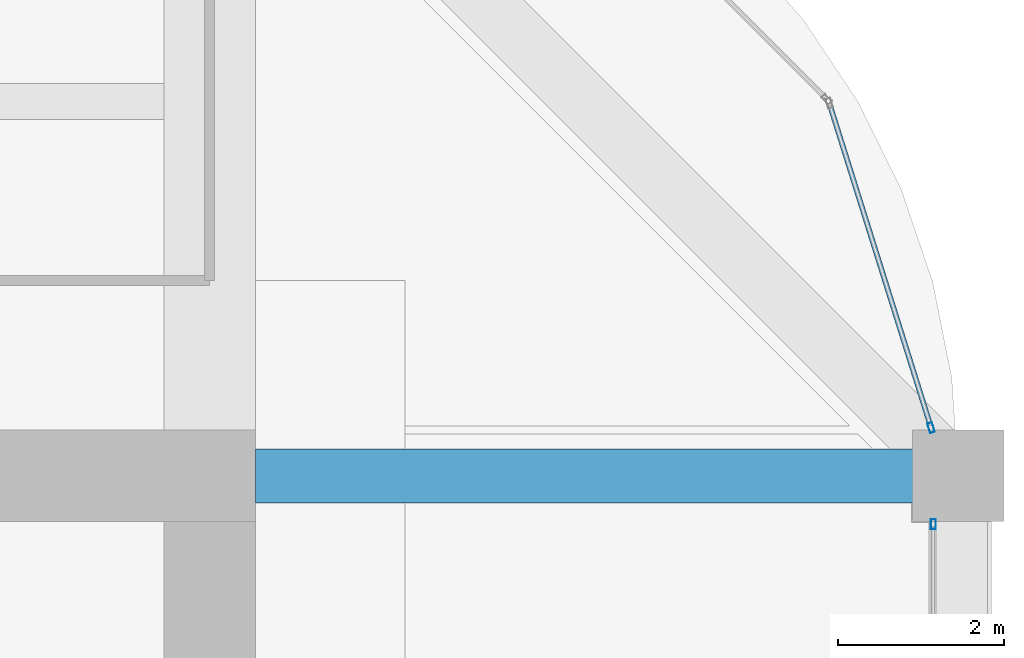
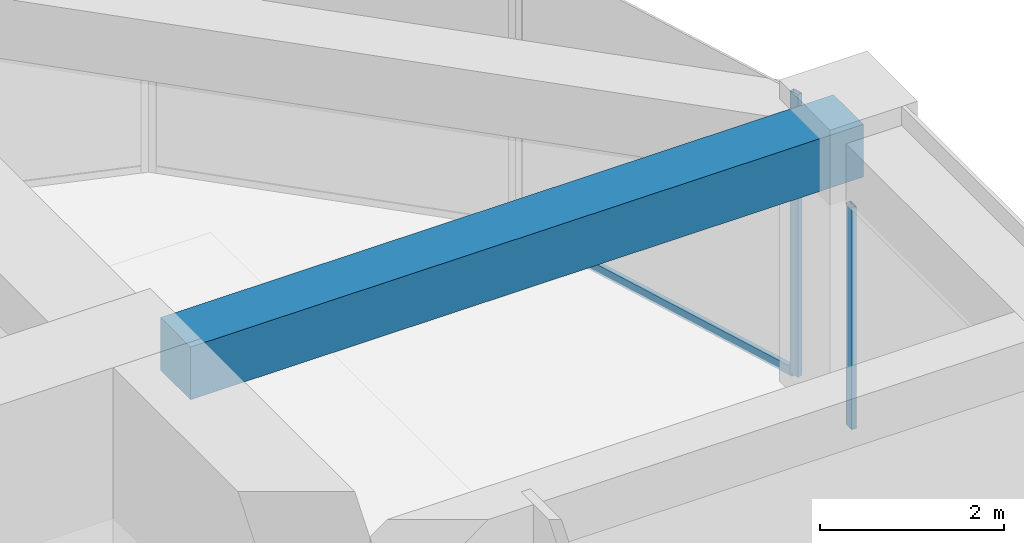
# One storey, part 36 of 44: 3 members, 1 beam, 2 elements without a shape of their own.
"""IFC4 building model written with IfcOpenShell, lengths in metres."""

from ifc_helpers import new_model, si_unit, direction, frame, origin, origin_2d, place, context, subcontext, project, spatial, rectangle, hollow_rectangle, extrude, material, material_profile, profile_set, type_object, element, aggregate, save


model = new_model("IFC4")

# Units and contexts
model_context = context("Model", 3, precision=1e-05, world=origin(), true_north=direction((0.0, 1.0)))
body_context = subcontext(model_context, "Body", "Model", "MODEL_VIEW")
ifc_project = project(units=[si_unit("LENGTHUNIT", "METRE"), si_unit("AREAUNIT", "SQUARE_METRE"), si_unit("VOLUMEUNIT", "CUBIC_METRE"), si_unit("PLANEANGLEUNIT", "RADIAN"), si_unit("MASSUNIT", "GRAM", prefix="KILO")], contexts=[model_context])

# Site, building, storey
site_placement = place(None, origin())
site = spatial("IfcSite", under=ifc_project, at=site_placement, CompositionType="ELEMENT")
building_placement = place(site_placement, origin())
building = spatial("IfcBuilding", under=site, at=building_placement, Name="Zorevar Civic Tower", CompositionType="ELEMENT")
storey_placement = place(building_placement, frame((0.0, 0.0, 299.39990234375)))
storey = spatial("IfcBuildingStorey", under=building, at=storey_placement, Name="L73", CompositionType="ELEMENT", Elevation=299.39990234375)

# Beam
ifc_material_1 = material(Name="Concrete C50/60", Category="concrete")
ifc_material_profile_1 = material_profile(ifc_material_1, rectangle(XDim=0.64990234375, YDim=0.699951171875, at=origin_2d()), Name="RC 650x700")
ifc_profile_set_1 = profile_set([ifc_material_profile_1], Name="Concrete C50/60")
beam_type = type_object("IfcBeamType", Name="Beam RC 650x700", PredefinedType="BEAM", material=ifc_profile_set_1)
beam_placement = place(storey_placement, frame((45.550048828125, 36.0, 3.400146484375), z_axis=(1.0, 0.0, 0.0), x_axis=(0.0, 1.0, 0.0)))
element("IfcBeam", 1, at=beam_placement, inside=storey, type_object=beam_type, Name="Girder L74", PredefinedType="BEAM", context=body_context, shape_type="SweptSolid", body=[
    extrude(rectangle(XDim=0.64990234375, YDim=0.699951171875, at=origin_2d()), origin(), (0.0, 0.0, 1.0), 8.449951171875),
])

# Curtain wall, member
ifc_material_2 = material(Name="Dark grey solar-control glass in black aluminium frame", Category="aluminium")
curtain_wall_type = type_object("IfcCurtainWallType", Name="Curtain wall CW5 top zone", PredefinedType="NOTDEFINED", material=ifc_material_2)
curtain_wall_1_placement = place(storey_placement, origin())
curtain_wall_1 = element("IfcCurtainWall", 2, at=curtain_wall_1_placement, inside=storey, type_object=curtain_wall_type, Name="CW5 L73", PredefinedType="NOTDEFINED")
ifc_material_3 = material(Name="Aluminium, black anodised", Category="aluminium")
ifc_material_profile_2 = material_profile(ifc_material_3, hollow_rectangle(XDim=0.06005859375, YDim=0.1201171875, WallThickness=0.0029296875, at=origin_2d()), Name="AL 120x60x3")
ifc_profile_set_2 = profile_set([ifc_material_profile_2], Name="Aluminium, black anodised")
member_type_1 = type_object("IfcMemberType", Name="CW5 mullion AL 120x60x3", PredefinedType="MULLION", material=ifc_profile_set_2)
member_1_placement = place(storey_placement, frame((53.699951171875, 35.419921875, 0.0), z_axis=(0.0, 0.0, 1.0), x_axis=(-1.0, 0.0, 0.0)))
member_1 = element("IfcMember", 3, at=member_1_placement, type_object=member_type_1, Name="CW5 mullion 3", PredefinedType="MULLION", context=body_context, shape_type="SweptSolid", body=[
    extrude(hollow_rectangle(XDim=0.06005859375, YDim=0.1201171875, WallThickness=0.0029296875, at=origin_2d()), origin(), (0.0, 0.0, 1.0), 2.9501953125),
])
aggregate(curtain_wall_1, [member_1])

# Curtain wall, members
curtain_wall_2_placement = place(storey_placement, origin())
curtain_wall_2 = element("IfcCurtainWall", 4, at=curtain_wall_2_placement, inside=storey, type_object=curtain_wall_type, Name="CW5 L73", PredefinedType="NOTDEFINED")
member_2_placement = place(storey_placement, frame((53.673583984375, 36.57861328125, 0.0), z_axis=(0.0, 0.0, 1.0), x_axis=(-0.954153437674, -0.299317920238, 0.0)))
member_2 = element("IfcMember", 5, at=member_2_placement, type_object=member_type_1, Name="CW5 mullion 1", PredefinedType="MULLION", context=body_context, shape_type="SweptSolid", body=[
    extrude(hollow_rectangle(XDim=0.06005859375, YDim=0.1201171875, WallThickness=0.0029296875, at=origin_2d()), origin(), (0.0, 0.0, 1.0), 3.75),
])
ifc_material_4 = material(Name="Aluminium, black anodised", Category="aluminium")
ifc_material_profile_3 = material_profile(ifc_material_4, hollow_rectangle(XDim=0.06005859375, YDim=0.1201171875, WallThickness=0.0029296875, at=origin_2d()), Name="AL 120x60x3")
ifc_profile_set_3 = profile_set([ifc_material_profile_3], Name="Aluminium, black anodised")
member_type_2 = type_object("IfcMemberType", Name="CW5 transom AL 120x60x3", PredefinedType="USERDEFINED", material=ifc_profile_set_3)
member_3_placement = place(storey_placement, frame((53.66455078125, 36.607177734375, 0.030029296875), z_axis=(-0.299285978047, 0.954163457351, 0.0), x_axis=(-0.954163457351, -0.299285978047, 0.0)))
member_3 = element("IfcMember", 6, at=member_3_placement, type_object=member_type_2, Name="CW5 sill transom", ObjectType="TRANSOM", PredefinedType="USERDEFINED", context=body_context, shape_type="SweptSolid", body=[
    extrude(hollow_rectangle(XDim=0.06005859375, YDim=0.1201171875, WallThickness=0.0029296875, at=origin_2d()), origin(), (0.0, 0.0, 1.0), 4.028076171875),
])
aggregate(curtain_wall_2, [member_2, member_3])

save(model, "model.ifc")
